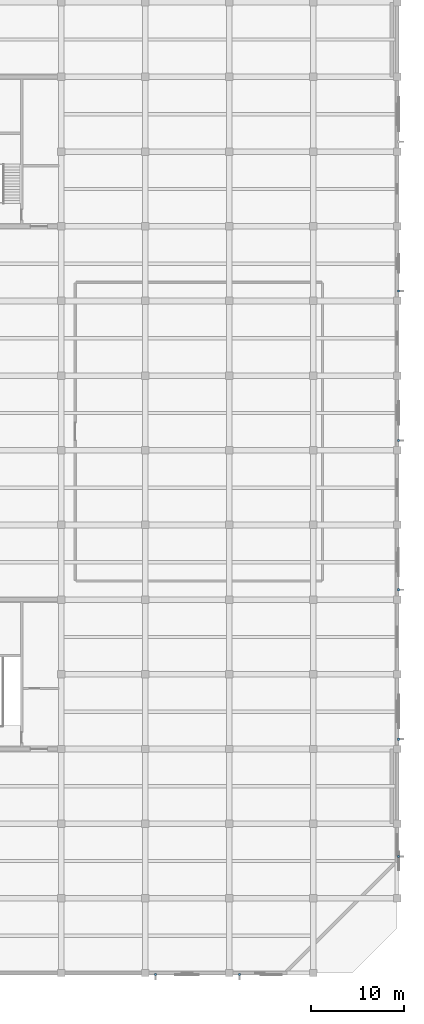
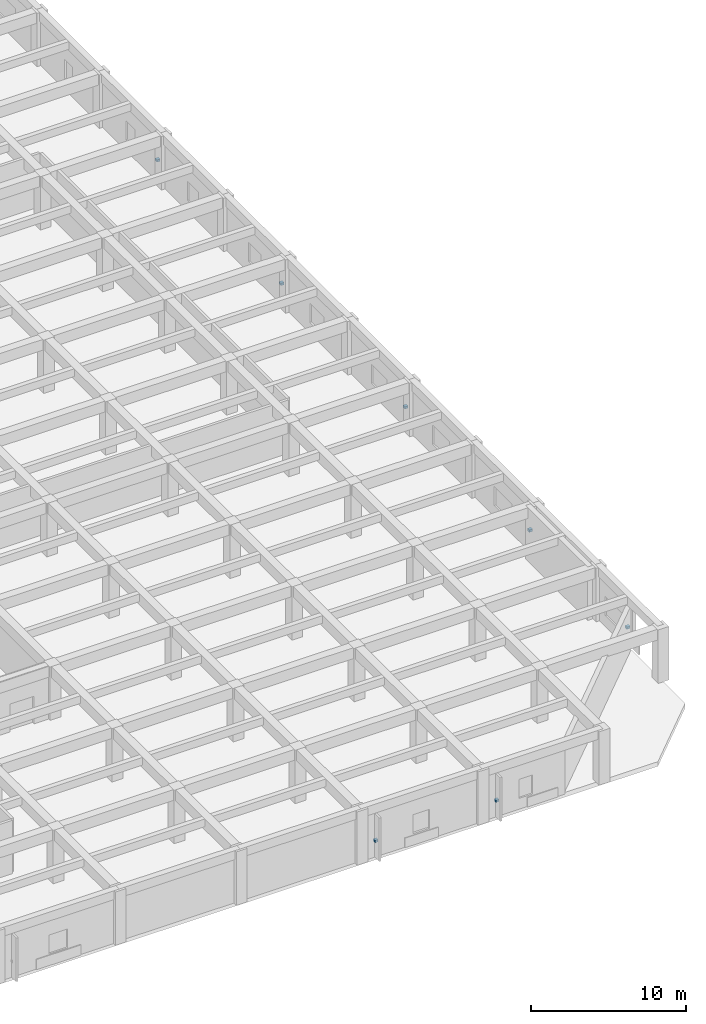
# One storey, part 25 of 32: 7 discrete accessories.
"""IFC4 building model written with IfcOpenShell, lengths in metres."""

from ifc_helpers import new_model, si_unit, direction, frame, origin, origin_2d, place, context, subcontext, project, spatial, rectangle, extrude, material, layer, layer_set, type_object, element, save


model = new_model("IFC4")

# Units and contexts
model_context = context("Model", 3, precision=1e-05, world=origin(), true_north=direction((0.0, 1.0)))
body_context = subcontext(model_context, "Body", "Model", "MODEL_VIEW")
ifc_project = project(units=[si_unit("LENGTHUNIT", "METRE"), si_unit("AREAUNIT", "SQUARE_METRE"), si_unit("VOLUMEUNIT", "CUBIC_METRE"), si_unit("PLANEANGLEUNIT", "RADIAN"), si_unit("MASSUNIT", "GRAM", prefix="KILO")], contexts=[model_context])

# Site, building, storey
site_placement = place(None, origin())
site = spatial("IfcSite", under=ifc_project, at=site_placement, CompositionType="ELEMENT")
building_placement = place(site_placement, origin())
building = spatial("IfcBuilding", under=site, at=building_placement, Name="Zaverband Oceanarium and Marine Research Institute", CompositionType="ELEMENT")
storey_placement = place(building_placement, frame((0.0, 0.0, 13.5)))
storey = spatial("IfcBuildingStorey", under=building, at=storey_placement, Name="L03", CompositionType="ELEMENT", Elevation=13.5)

# Discrete accessories
ifc_material = material(Name="Steel S355", Category="steel")
ifc_layer = layer(ifc_material, 0.179931640625, Name="Steel S355")
ifc_layer_set = layer_set([ifc_layer], Name="Steel S355")
discrete_accessory_type = type_object("IfcDiscreteAccessoryType", Name="BRK-STL-200", PredefinedType="BRACKET", material=ifc_layer_set)
for number, where, z_axis, x_axis, name in (
    (1, (154.10498046875, -0.169921875, 1.22021484375), (0.0, 0.0, 1.0), (1.0, 0.0, 0.0), "Galvanized steel facade fin structural bracket BRK-STL-200"),
    (2, (163.10498046875, -0.155029296875, 1.22021484375), (0.0, 0.0, 1.0), (1.0, 0.0, 0.0), "Galvanized steel facade fin structural bracket BRK-STL-200"),
    (3, (180.14501953125, 12.469970703125, 1.22021484375), (0.0, 0.0, 1.0), (1.0, 0.0, 0.0), "Galvanized steel facade fin structural bracket BRK-STL-200"),
    (4, (180.155029296875, 25.054931640625, 1.22021484375), (0.0, 0.0, 1.0), (1.0, 0.0, 0.0), "Galvanized steel facade fin structural bracket BRK-STL-200"),
    (5, (180.132568359375, 41.054931640625, 1.22021484375), (0.0, 0.0, 1.0), (1.0, 0.0, 0.0), "Galvanized steel facade fin structural bracket BRK-STL-200"),
    (6, (180.14501953125, 57.054931640625, 1.22021484375), (0.0, 0.0, 1.0), (1.0, 0.0, 0.0), "Galvanized steel facade fin structural bracket BRK-STL-200"),
    (7, (180.155029296875, 73.054931640625, 1.22021484375), (0.0, 0.0, 1.0), (1.0, 0.0, 0.0), "Galvanized steel facade fin structural bracket BRK-STL-200"),
):
    element("IfcDiscreteAccessory", number, at=place(storey_placement, frame(where, z_axis=z_axis, x_axis=x_axis)), inside=storey, type_object=discrete_accessory_type, Name=name, PredefinedType="BRACKET", context=body_context, shape_type="SweptSolid", body=[
        extrude(rectangle(XDim=0.239990234375, YDim=0.239990234375, at=origin_2d()), origin(), (0.0, 0.0, 1.0), 0.179931640625),
    ])

save(model, "model.ifc")
